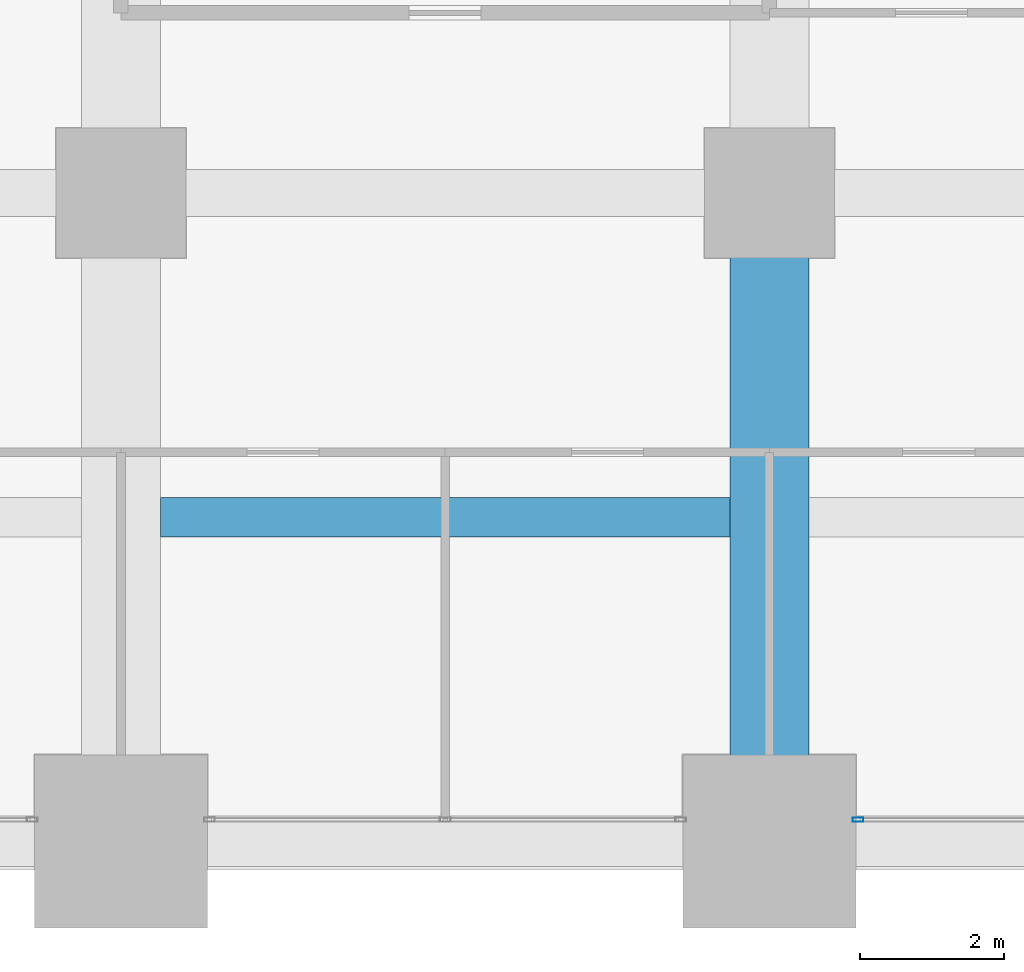
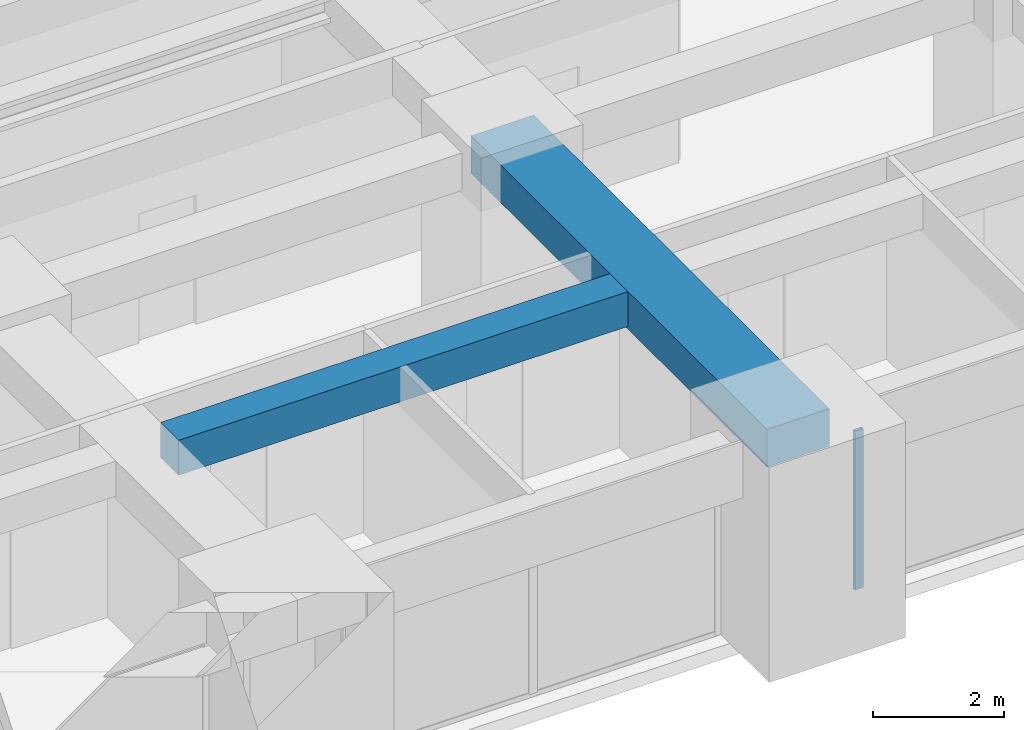
# One storey, part 14 of 40: 2 beams, 1 member, 1 element without a shape of its own.
"""IFC4 building model written with IfcOpenShell, lengths in metres."""

from ifc_helpers import new_model, si_unit, direction, frame, origin, origin_2d, place, context, subcontext, project, spatial, rectangle, hollow_rectangle, extrude, material, material_profile, profile_set, type_object, element, aggregate, save


model = new_model("IFC4")

# Units and contexts
model_context = context("Model", 3, precision=1e-05, world=origin(), true_north=direction((0.0, 1.0)))
body_context = subcontext(model_context, "Body", "Model", "MODEL_VIEW")
ifc_project = project(units=[si_unit("LENGTHUNIT", "METRE"), si_unit("AREAUNIT", "SQUARE_METRE"), si_unit("VOLUMEUNIT", "CUBIC_METRE"), si_unit("PLANEANGLEUNIT", "RADIAN"), si_unit("MASSUNIT", "GRAM", prefix="KILO")], contexts=[model_context])

# Site, building, storey
site_placement = place(None, origin())
site = spatial("IfcSite", under=ifc_project, at=site_placement, CompositionType="ELEMENT")
building_placement = place(site_placement, origin())
building = spatial("IfcBuilding", under=site, at=building_placement, Name="Zorevar Civic Tower", CompositionType="ELEMENT")
storey_placement = place(building_placement, frame((0.0, 0.0, 133.0)))
storey = spatial("IfcBuildingStorey", under=building, at=storey_placement, Name="L32", CompositionType="ELEMENT", Elevation=133.0)

# Beams
ifc_material_1 = material(Name="Concrete C50/60", Category="concrete")
ifc_material_profile_1 = material_profile(ifc_material_1, rectangle(XDim=1.10009765625, YDim=0.699951171875, at=origin_2d()), Name="RC 1100x700")
ifc_profile_set_1 = profile_set([ifc_material_profile_1], Name="Concrete C50/60")
beam_type_1 = type_object("IfcBeamType", Name="Beam RC 1100x700", PredefinedType="BEAM", material=ifc_profile_set_1)
beam_1_placement = place(storey_placement, frame((45.0, 0.0, 3.39990234375), z_axis=(0.0, 1.0, 0.0), x_axis=(-1.0, 0.0, 0.0)))
element("IfcBeam", 1, at=beam_1_placement, inside=storey, type_object=beam_type_1, Name="Girder L33", PredefinedType="BEAM", context=body_context, shape_type="SweptSolid", body=[
    extrude(rectangle(XDim=1.10009765625, YDim=0.699951171875, at=origin_2d()), origin(), (0.0, 0.0, 1.0), 9.0),
])
ifc_material_2 = material(Name="Concrete C50/60", Category="concrete")
ifc_material_profile_2 = material_profile(ifc_material_2, rectangle(XDim=0.550048828125, YDim=0.64990234375, at=origin_2d()), Name="RC 550x650")
ifc_profile_set_2 = profile_set([ifc_material_profile_2], Name="Concrete C50/60")
beam_type_2 = type_object("IfcBeamType", Name="Beam RC 550x650", PredefinedType="BEAM", material=ifc_profile_set_2)
beam_2_placement = place(storey_placement, frame((36.550048828125, 4.5, 3.425048828125), z_axis=(1.0, 0.0, 0.0), x_axis=(0.0, 1.0, 0.0)))
element("IfcBeam", 2, at=beam_2_placement, inside=storey, type_object=beam_type_2, Name="Secondary beam L33", PredefinedType="BEAM", context=body_context, shape_type="SweptSolid", body=[
    extrude(rectangle(XDim=0.550048828125, YDim=0.64990234375, at=origin_2d()), origin(), (0.0, 0.0, 1.0), 7.89990234375),
])

# Curtain wall, member
ifc_material_3 = material(Name="Dark grey solar-control glass in black aluminium frame", Category="aluminium")
curtain_wall_type = type_object("IfcCurtainWallType", Name="Curtain wall CW3 mid zone", PredefinedType="NOTDEFINED", material=ifc_material_3)
curtain_wall_placement = place(storey_placement, origin())
curtain_wall = element("IfcCurtainWall", 3, at=curtain_wall_placement, inside=storey, type_object=curtain_wall_type, Name="CW3 L32", PredefinedType="NOTDEFINED")
ifc_material_4 = material(Name="Aluminium, black anodised", Category="aluminium")
ifc_material_profile_3 = material_profile(ifc_material_4, hollow_rectangle(XDim=0.06005859375, YDim=0.14990234375, WallThickness=0.00390625, at=origin_2d()), Name="AL 150x60x4")
ifc_profile_set_3 = profile_set([ifc_material_profile_3], Name="Aluminium, black anodised")
member_type = type_object("IfcMemberType", Name="CW3 mullion AL 150x60x4", PredefinedType="MULLION", material=ifc_profile_set_3)
member_placement = place(storey_placement, frame((46.22998046875, 0.300048828125, 0.0), z_axis=(0.0, 0.0, 1.0), x_axis=(0.0, 1.0, 0.0)))
member = element("IfcMember", 4, at=member_placement, type_object=member_type, Name="CW3 mullion 1", PredefinedType="MULLION", context=body_context, shape_type="SweptSolid", body=[
    extrude(hollow_rectangle(XDim=0.06005859375, YDim=0.14990234375, WallThickness=0.00390625, at=origin_2d()), origin(), (0.0, 0.0, 1.0), 2.949951171875),
])
aggregate(curtain_wall, [member])

save(model, "model.ifc")
